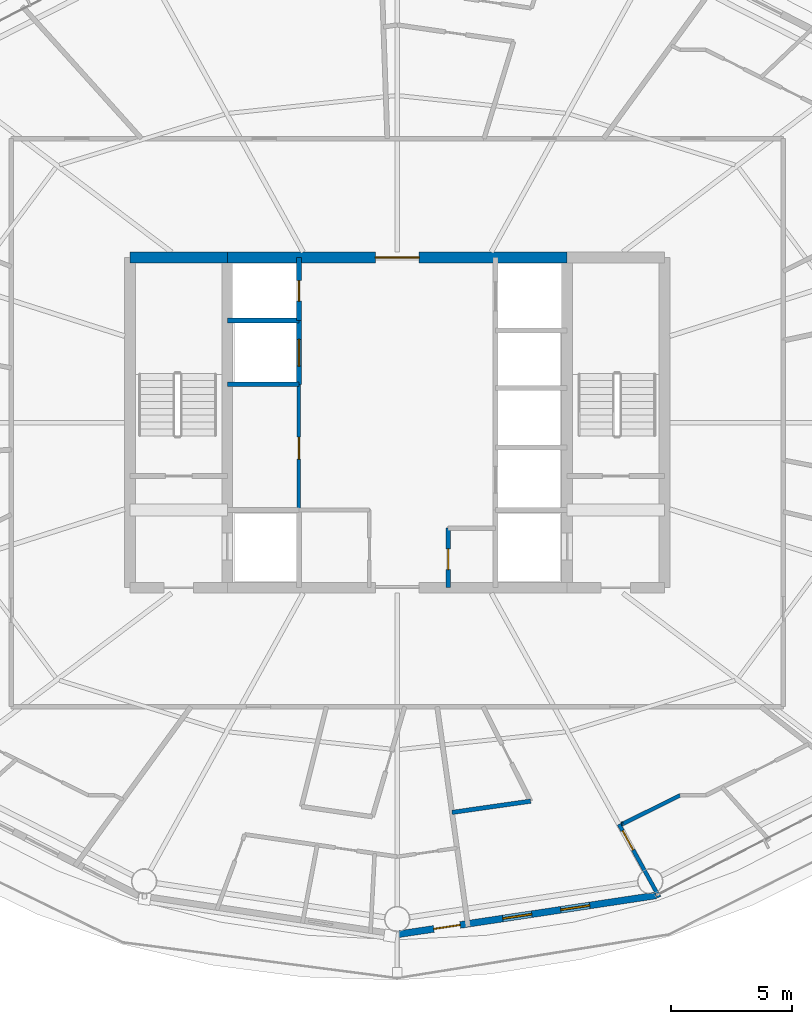
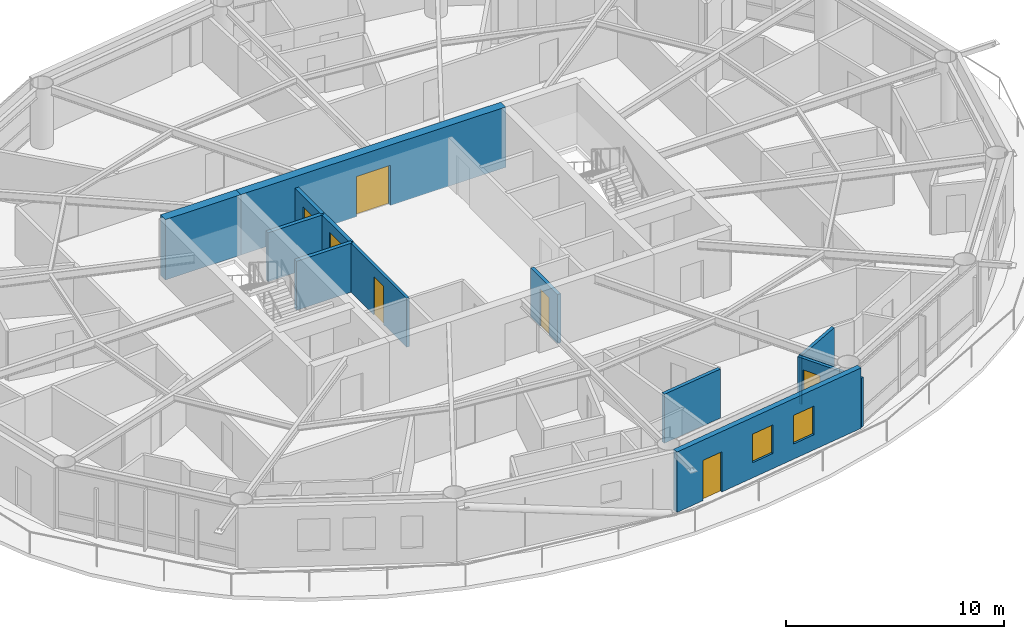
# One storey, part 21 of 29: 13 walls, 7 doors, 2 windows, 9 openings.
"""IFC4 building model written with IfcOpenShell, lengths in metres."""

from ifc_helpers import new_model, si_unit, direction, frame, frame_2d, origin, place, context, subcontext, project, spatial, rectangle, extrude, material, layer, layer_set, type_object, element, fill, save


model = new_model("IFC4")

# Units and contexts
model_context = context("Model", 3, precision=1e-05, world=origin(), true_north=direction((0.0, 1.0)))
body_context = subcontext(model_context, "Body", "Model", "MODEL_VIEW")
ifc_project = project(units=[si_unit("LENGTHUNIT", "METRE"), si_unit("AREAUNIT", "SQUARE_METRE"), si_unit("VOLUMEUNIT", "CUBIC_METRE"), si_unit("PLANEANGLEUNIT", "RADIAN"), si_unit("MASSUNIT", "GRAM", prefix="KILO")], contexts=[model_context])

# Site, building, storey
site_placement = place(None, origin())
site = spatial("IfcSite", under=ifc_project, at=site_placement, CompositionType="ELEMENT")
building_placement = place(site_placement, origin())
building = spatial("IfcBuilding", under=site, at=building_placement, Name="Sarneth Arch Tower", CompositionType="ELEMENT")
storey_placement = place(building_placement, frame((0.0, 0.0, 165.0)))
storey = spatial("IfcBuildingStorey", under=building, at=storey_placement, Name="L41", CompositionType="ELEMENT", Elevation=165.0)

# Wall
ifc_material_1 = material(Name="Concrete C50/60", Category="concrete")
ifc_layer_1 = layer(ifc_material_1, 0.449951171875)
ifc_layer_set_1 = layer_set([ifc_layer_1], Name="Concrete C50/60")
wall_type_1 = type_object("IfcWallType", Name="WALL-CORE-450", PredefinedType="SHEAR", material=ifc_layer_set_1)
wall_1_placement = place(storey_placement, frame((37.0, 48.800048828125, 0.0), z_axis=(0.0, 0.0, 1.0), x_axis=(1.0, 0.0, 0.0)))
element("IfcWall", 1, at=wall_1_placement, inside=storey, type_object=wall_type_1, Name="L41 Core shear wall N-W", PredefinedType="SHEAR", context=body_context, shape_type="SweptSolid", body=[
    extrude(rectangle(XDim=4.0, YDim=0.449951171875, at=frame_2d((2.0, 0.0))), origin(), (0.0, 0.0, 1.0), 3.3798828125),
])

# Wall, opening, door
wall_2_placement = place(storey_placement, frame((41.0, 48.800048828125, 0.0), z_axis=(0.0, 0.0, 1.0), x_axis=(1.0, 0.0, 0.0)))
wall_2 = element("IfcWall", 2, at=wall_2_placement, inside=storey, type_object=wall_type_1, Name="L41 Core shear wall N-M", PredefinedType="SHEAR", context=body_context, shape_type="SweptSolid", body=[
    extrude(rectangle(XDim=14.0, YDim=0.449951171875, at=frame_2d((7.0, 0.0))), origin(), (0.0, 0.0, 1.0), 3.3798828125),
])
opening_1_placement = place(wall_2_placement, frame((6.10009765625, 0.0, 0.0)))
opening_1 = element("IfcOpeningElement", 3, at=opening_1_placement, cuts=wall_2, Name="Opening FD-01", PredefinedType="OPENING", context=body_context, shape_type="SweptSolid", body=[
    extrude(rectangle(XDim=1.800048828125, YDim=2.25, at=frame_2d((0.89990234375, 1.125))), frame((0.0, 0.23486328125, 0.0), z_axis=(0.0, -1.0, 0.0), x_axis=(1.0, 0.0, 0.0)), (0.0, 0.0, 1.0), 0.469970703125),
])
ifc_material_2 = material(Name="Galvanised Steel S275 fire door set", Category="steel")
door_type_1 = type_object("IfcDoorType", Name="DR-FD90-1800", OperationType="DOUBLE_DOOR_SINGLE_SWING", PredefinedType="DOOR", material=ifc_material_2)
door_1_placement = place(opening_1_placement, origin())
door_1 = element("IfcDoor", 4, at=door_1_placement, inside=storey, type_object=door_type_1, Name="L41 Central lift lobby north door", OperationType="DOUBLE_DOOR_SINGLE_SWING", OverallHeight=2.25, OverallWidth=1.800048828125, PredefinedType="DOOR", context=body_context, shape_type="SweptSolid", body=[
    extrude(rectangle(XDim=1.800048828125, YDim=2.25, at=frame_2d((0.89990234375, 1.125))), frame((0.0, 0.02490234375, 0.0), z_axis=(0.0, -1.0, 0.0), x_axis=(1.0, 0.0, 0.0)), (0.0, 0.0, 1.0), 0.050048828125),
])
fill(opening_1, door_1)

# Wall, openings, door, windows
ifc_material_3 = material(Name="Extruded terracotta rainscreen on Concrete C40/50 backing", Category="masonry")
ifc_layer_2 = layer(ifc_material_3, 0.280029296875)
ifc_layer_set_2 = layer_set([ifc_layer_2], Name="Extruded terracotta rainscreen on Concrete C40/50 backing")
wall_type_2 = type_object("IfcWallType", Name="WALL-EXT-TERRA-280", PredefinedType="SOLIDWALL", material=ifc_layer_set_2)
wall_3_placement = place(storey_placement, frame((48.0, 20.919921875, 0.0), z_axis=(0.0, 0.0, 1.0), x_axis=(0.988863993413, 0.148822049884, 0.0)))
wall_3 = element("IfcWall", 5, at=wall_3_placement, inside=storey, type_object=wall_type_2, Name="L41 Terracotta perimeter wall 13", PredefinedType="SOLIDWALL", context=body_context, shape_type="SweptSolid", body=[
    extrude(rectangle(XDim=10.782958984375, YDim=0.280029296875, at=frame_2d((5.3916015625, 0.0))), origin(), (0.0, 0.0, 1.0), 3.3798828125),
])
opening_2_placement = place(wall_3_placement, frame((1.523681640625, 0.0, 0.0)))
opening_2 = element("IfcOpeningElement", 6, at=opening_2_placement, cuts=wall_3, Name="Opening BD-3", PredefinedType="OPENING", context=body_context, shape_type="SweptSolid", body=[
    extrude(rectangle(XDim=1.10009765625, YDim=2.25, at=frame_2d((0.550048828125, 1.125))), frame((0.0, 0.14990234375, 0.0), z_axis=(0.0, -1.0, 0.0), x_axis=(1.0, 0.0, 0.0)), (0.0, 0.0, 1.0), 0.300048828125),
])
opening_3_placement = place(wall_3_placement, frame((4.39892578125, 0.0, 0.85009765625)))
opening_3 = element("IfcOpeningElement", 7, at=opening_3_placement, cuts=wall_3, Name="Opening W-10", PredefinedType="OPENING", context=body_context, shape_type="SweptSolid", body=[
    extrude(rectangle(XDim=1.199951171875, YDim=1.60009765625, at=frame_2d((0.60009765625, 0.800048828125))), frame((0.0, 0.14990234375, 0.0), z_axis=(0.0, -1.0, 0.0), x_axis=(1.0, 0.0, 0.0)), (0.0, 0.0, 1.0), 0.300048828125),
])
opening_4_placement = place(wall_3_placement, frame((6.81494140625, 0.0, 0.85009765625)))
opening_4 = element("IfcOpeningElement", 8, at=opening_4_placement, cuts=wall_3, Name="Opening W-10", PredefinedType="OPENING", context=body_context, shape_type="SweptSolid", body=[
    extrude(rectangle(XDim=1.199951171875, YDim=1.60009765625, at=frame_2d((0.60009765625, 0.800048828125))), frame((0.0, 0.14990234375, 0.0), z_axis=(0.0, -1.0, 0.0), x_axis=(1.0, 0.0, 0.0)), (0.0, 0.0, 1.0), 0.300048828125),
])
ifc_material_4 = material(Name="Thermally broken Aluminium 6063-T6 and laminated safety glass", Category="aluminium")
door_type_2 = type_object("IfcDoorType", Name="DR-BALC-GLZ-1100", OperationType="SINGLE_SWING_LEFT", PredefinedType="DOOR", material=ifc_material_4)
door_2_placement = place(opening_2_placement, origin())
door_2 = element("IfcDoor", 9, at=door_2_placement, inside=storey, type_object=door_type_2, Name="L41 Balcony glazed door 13", OperationType="SINGLE_SWING_LEFT", OverallHeight=2.25, OverallWidth=1.10009765625, PredefinedType="DOOR", context=body_context, shape_type="SweptSolid", body=[
    extrude(rectangle(XDim=1.10009765625, YDim=2.25, at=frame_2d((0.550048828125, 1.125))), frame((0.0, 0.02490234375, 0.0), z_axis=(0.0, -1.0, 0.0), x_axis=(1.0, 0.0, 0.0)), (0.0, 0.0, 1.0), 0.050048828125),
])
fill(opening_2, door_2)
ifc_material_5 = material(Name="Thermally broken Aluminium 6063-T6 and low-e laminated IGU", Category="aluminium")
window_type = type_object("IfcWindowType", Name="WIN-TWR-1200x1600", PartitioningType="SINGLE_PANEL", PredefinedType="WINDOW", material=ifc_material_5)
window_1_placement = place(opening_3_placement, origin())
window_1 = element("IfcWindow", 10, at=window_1_placement, inside=storey, type_object=window_type, Name="L41 Exterior window 13A", OverallHeight=1.60009765625, OverallWidth=1.199951171875, PartitioningType="SINGLE_PANEL", PredefinedType="WINDOW", context=body_context, shape_type="SweptSolid", body=[
    extrude(rectangle(XDim=1.199951171875, YDim=1.60009765625, at=frame_2d((0.60009765625, 0.800048828125))), frame((0.0, 0.030029296875, 0.0), z_axis=(0.0, -1.0, 0.0), x_axis=(1.0, 0.0, 0.0)), (0.0, 0.0, 1.0), 0.06005859375),
])
fill(opening_3, window_1)
window_2_placement = place(opening_4_placement, origin())
window_2 = element("IfcWindow", 11, at=window_2_placement, inside=storey, type_object=window_type, Name="L41 Exterior window 13B", OverallHeight=1.60009765625, OverallWidth=1.199951171875, PartitioningType="SINGLE_PANEL", PredefinedType="WINDOW", context=body_context, shape_type="SweptSolid", body=[
    extrude(rectangle(XDim=1.199951171875, YDim=1.60009765625, at=frame_2d((0.60009765625, 0.800048828125))), frame((0.0, 0.030029296875, 0.0), z_axis=(0.0, -1.0, 0.0), x_axis=(1.0, 0.0, 0.0)), (0.0, 0.0, 1.0), 0.06005859375),
])
fill(opening_4, window_2)

# Wall, opening, door
ifc_material_6 = material(Name="Acoustic gypsum stud partition", Category="gypsum")
ifc_layer_3 = layer(ifc_material_6, 0.14990234375)
ifc_layer_set_3 = layer_set([ifc_layer_3], Name="Acoustic gypsum stud partition")
wall_type_3 = type_object("IfcWallType", Name="WALL-PART-150", PredefinedType="PARTITIONING", material=ifc_layer_set_3)
wall_4_placement = place(storey_placement, frame((43.949951171875, 38.39990234375, 0.0), z_axis=(0.0, 0.0, 1.0), x_axis=(0.0, 1.0, 0.0)))
wall_4 = element("IfcWall", 12, at=wall_4_placement, inside=storey, type_object=wall_type_3, Name="L41 Interior partition W-L41-RECPL-E", PredefinedType="PARTITIONING", context=body_context, shape_type="SweptSolid", body=[
    extrude(rectangle(XDim=5.18017578125, YDim=0.14990234375, at=frame_2d((2.590087890625, 0.0))), origin(), (0.0, 0.0, 1.0), 2.739990234375),
])
opening_5_placement = place(wall_4_placement, frame((2.10009765625, 0.0, 0.0)))
opening_5 = element("IfcOpeningElement", 13, at=opening_5_placement, cuts=wall_4, Name="Opening FD-10", PredefinedType="OPENING", context=body_context, shape_type="SweptSolid", body=[
    extrude(rectangle(XDim=0.89990234375, YDim=2.14990234375, at=frame_2d((0.449951171875, 1.074951171875))), frame((0.0, 0.0849609375, 0.0), z_axis=(0.0, -1.0, 0.0), x_axis=(1.0, 0.0, 0.0)), (0.0, 0.0, 1.0), 0.169921875),
])
ifc_material_7 = material(Name="Galvanised Steel S275 riser/service fire door", Category="steel")
door_type_3 = type_object("IfcDoorType", Name="DR-FD60-900", OperationType="SINGLE_SWING_LEFT", PredefinedType="DOOR", material=ifc_material_7)
door_3_placement = place(opening_5_placement, origin())
door_3 = element("IfcDoor", 14, at=door_3_placement, inside=storey, type_object=door_type_3, Name="L41 Interior door DR-L41-RECPL1", OperationType="SINGLE_SWING_LEFT", OverallHeight=2.14990234375, OverallWidth=0.89990234375, PredefinedType="DOOR", context=body_context, shape_type="SweptSolid", body=[
    extrude(rectangle(XDim=0.89990234375, YDim=2.14990234375, at=frame_2d((0.449951171875, 1.074951171875))), frame((0.0, 0.02490234375, 0.0), z_axis=(0.0, -1.0, 0.0), x_axis=(1.0, 0.0, 0.0)), (0.0, 0.0, 1.0), 0.050048828125),
])
fill(opening_5, door_3)

ifc_material_8 = material(Name="Kitchen wet service chase wall", Category="gypsum")
ifc_layer_4 = layer(ifc_material_8, 0.159912109375)
ifc_layer_set_4 = layer_set([ifc_layer_4], Name="Kitchen wet service chase wall")
wall_type_4 = type_object("IfcWallType", Name="WALL-PLUMB-160", PredefinedType="PLUMBINGWALL", material=ifc_layer_set_4)
wall_5_placement = place(storey_placement, frame((57.135498046875, 25.456298828125, 0.0), z_axis=(0.0, 0.0, 1.0), x_axis=(0.483427589536, -0.875384353113, 0.0)))
wall_5 = element("IfcWall", 15, at=wall_5_placement, inside=storey, type_object=wall_type_4, Name="L41 Interior partition W-L41-TP-102", PredefinedType="PLUMBINGWALL", context=body_context, shape_type="SweptSolid", body=[
    extrude(rectangle(XDim=3.427001953125, YDim=0.159912109375, at=frame_2d((1.71337890625, 0.0))), origin(), (0.0, 0.0, 1.0), 2.739990234375),
])
opening_6_placement = place(wall_5_placement, frame((0.303466796875, 0.0, 0.0)))
opening_6 = element("IfcOpeningElement", 16, at=opening_6_placement, cuts=wall_5, Name="Opening ID-01", PredefinedType="OPENING", context=body_context, shape_type="SweptSolid", body=[
    extrude(rectangle(XDim=0.89990234375, YDim=2.10009765625, at=frame_2d((0.449951171875, 1.050048828125))), frame((0.0, 0.08984375, 0.0), z_axis=(0.0, -1.0, 0.0), x_axis=(1.0, 0.0, 0.0)), (0.0, 0.0, 1.0), 0.179931640625),
])
ifc_material_9 = material(Name="Engineered hardwood flush door", Category="wood")
door_type_4 = type_object("IfcDoorType", Name="DR-INT-900", OperationType="SINGLE_SWING_LEFT", PredefinedType="DOOR", material=ifc_material_9)
door_4_placement = place(opening_6_placement, origin())
door_4 = element("IfcDoor", 17, at=door_4_placement, inside=storey, type_object=door_type_4, Name="L41 Interior door DR-L41-U7-KIT", OperationType="SINGLE_SWING_RIGHT", OverallHeight=2.10009765625, OverallWidth=0.89990234375, PredefinedType="DOOR", context=body_context, shape_type="SweptSolid", body=[
    extrude(rectangle(XDim=0.89990234375, YDim=2.10009765625, at=frame_2d((0.449951171875, 1.050048828125))), frame((0.0, 0.02490234375, 0.0), z_axis=(0.0, -1.0, 0.0), x_axis=(1.0, 0.0, 0.0)), (0.0, 0.0, 1.0), 0.050048828125),
])
fill(opening_6, door_4)

# Walls
wall_6_placement = place(storey_placement, frame((59.651123046875, 26.64990234375, 0.0), z_axis=(0.0, 0.0, 1.0), x_axis=(-0.895041110332, -0.445983644112, 0.0)))
element("IfcWall", 18, at=wall_6_placement, inside=storey, type_object=wall_type_4, Name="L41 Interior partition W-L41-TP-100", PredefinedType="PLUMBINGWALL", context=body_context, shape_type="SweptSolid", body=[
    extrude(rectangle(XDim=2.62109375, YDim=0.159912109375, at=frame_2d((1.310546875, 0.0))), origin(), (0.0, 0.0, 1.0), 2.739990234375),
])
wall_7_placement = place(storey_placement, frame((57.293212890625, 25.479248046875, 0.0), z_axis=(0.0, 0.0, 1.0), x_axis=(-0.989532981063, -0.144306893072, 0.0)))
element("IfcWall", 19, at=wall_7_placement, inside=storey, type_object=wall_type_4, Name="L41 Interior partition W-L41-TP-101", PredefinedType="PLUMBINGWALL", context=body_context, shape_type="SweptSolid", body=[
    extrude(rectangle(XDim=0.059326171875, YDim=0.159912109375, at=frame_2d((0.02978515625, 0.0))), origin(), (0.0, 0.0, 1.0), 2.739990234375),
])

# Wall, opening, door
ifc_material_10 = material(Name="Moisture-resistant plumbing chase wall", Category="gypsum")
ifc_layer_5 = layer(ifc_material_10, 0.179931640625)
ifc_layer_set_5 = layer_set([ifc_layer_5], Name="Moisture-resistant plumbing chase wall")
wall_type_5 = type_object("IfcWallType", Name="WALL-PLUMB-180", PredefinedType="PLUMBINGWALL", material=ifc_layer_set_5)
wall_8_placement = place(storey_placement, frame((50.10009765625, 35.199951171875, 0.0), z_axis=(0.0, 0.0, 1.0), x_axis=(0.0, 1.0, 0.0)))
wall_8 = element("IfcWall", 20, at=wall_8_placement, inside=storey, type_object=wall_type_5, Name="L41 Interior partition W-L41-AWC-W", PredefinedType="PLUMBINGWALL", context=body_context, shape_type="SweptSolid", body=[
    extrude(rectangle(XDim=2.449951171875, YDim=0.179931640625, at=frame_2d((1.22509765625, 0.0))), origin(), (0.0, 0.0, 1.0), 2.739990234375),
])
opening_7_placement = place(wall_8_placement, frame((0.75, 0.0, 0.0)))
opening_7 = element("IfcOpeningElement", 21, at=opening_7_placement, cuts=wall_8, Name="Opening ID-02", PredefinedType="OPENING", context=body_context, shape_type="SweptSolid", body=[
    extrude(rectangle(XDim=0.85009765625, YDim=2.10009765625, at=frame_2d((0.425048828125, 1.050048828125))), frame((0.0, 0.099853515625, 0.0), z_axis=(0.0, -1.0, 0.0), x_axis=(1.0, 0.0, 0.0)), (0.0, 0.0, 1.0), 0.199951171875),
])
ifc_material_11 = material(Name="Moisture-resistant bathroom timber door", Category="wood")
door_type_5 = type_object("IfcDoorType", Name="DR-INT-850", OperationType="SINGLE_SWING_RIGHT", PredefinedType="DOOR", material=ifc_material_11)
door_5_placement = place(opening_7_placement, origin())
door_5 = element("IfcDoor", 22, at=door_5_placement, inside=storey, type_object=door_type_5, Name="L41 Interior door DR-L41-AWC", OperationType="SINGLE_SWING_RIGHT", OverallHeight=2.10009765625, OverallWidth=0.85009765625, PredefinedType="DOOR", context=body_context, shape_type="SweptSolid", body=[
    extrude(rectangle(XDim=0.85009765625, YDim=2.10009765625, at=frame_2d((0.425048828125, 1.050048828125))), frame((0.0, 0.02490234375, 0.0), z_axis=(0.0, -1.0, 0.0), x_axis=(1.0, 0.0, 0.0)), (0.0, 0.0, 1.0), 0.050048828125),
])
fill(opening_7, door_5)

# Walls
wall_9_placement = place(storey_placement, frame((50.256591796875, 25.9443359375, 0.0), z_axis=(0.0, 0.0, 1.0), x_axis=(0.989826700743, 0.142278257286, 0.0)))
element("IfcWall", 23, at=wall_9_placement, inside=storey, type_object=wall_type_5, Name="L41 Interior partition W-L41-TP-103", PredefinedType="PLUMBINGWALL", context=body_context, shape_type="SweptSolid", body=[
    extrude(rectangle(XDim=3.2705078125, YDim=0.179931640625, at=frame_2d((1.63525390625, 0.0))), origin(), (0.0, 0.0, 1.0), 2.739990234375),
])
ifc_material_12 = material(Name="Aerated concrete blockwork C25/30", Category="masonry")
ifc_layer_6 = layer(ifc_material_12, 0.199951171875)
ifc_layer_set_6 = layer_set([ifc_layer_6], Name="Aerated concrete blockwork C25/30")
wall_type_6 = type_object("IfcWallType", Name="WALL-SHAFT-200", PredefinedType="SOLIDWALL", material=ifc_layer_set_6)
wall_10_placement = place(storey_placement, frame((41.0, 46.199951171875, 0.0), z_axis=(0.0, 0.0, 1.0), x_axis=(1.0, 0.0, 0.0)))
element("IfcWall", 24, at=wall_10_placement, inside=storey, type_object=wall_type_6, Name="L41 Interior partition W-L41-RISER-S", PredefinedType="SOLIDWALL", context=body_context, shape_type="SweptSolid", body=[
    extrude(rectangle(XDim=2.949951171875, YDim=0.199951171875, at=frame_2d((1.47509765625, 0.0))), origin(), (0.0, 0.0, 1.0), 2.739990234375),
])

# Wall, opening, door
wall_11_placement = place(storey_placement, frame((43.949951171875, 46.199951171875, 0.0), z_axis=(0.0, 0.0, 1.0), x_axis=(0.0, 1.0, 0.0)))
wall_11 = element("IfcWall", 25, at=wall_11_placement, inside=storey, type_object=wall_type_6, Name="L41 Interior partition W-L41-RISER-E", PredefinedType="SOLIDWALL", context=body_context, shape_type="SweptSolid", body=[
    extrude(rectangle(XDim=2.60009765625, YDim=0.199951171875, at=frame_2d((1.300048828125, 0.0))), origin(), (0.0, 0.0, 1.0), 2.739990234375),
])
opening_8_placement = place(wall_11_placement, frame((0.800048828125, 0.0, 0.0)))
opening_8 = element("IfcOpeningElement", 26, at=opening_8_placement, cuts=wall_11, Name="Opening FD-11", PredefinedType="OPENING", context=body_context, shape_type="SweptSolid", body=[
    extrude(rectangle(XDim=0.85009765625, YDim=2.14990234375, at=frame_2d((0.425048828125, 1.074951171875))), frame((0.0, 0.10986328125, 0.0), z_axis=(0.0, -1.0, 0.0), x_axis=(1.0, 0.0, 0.0)), (0.0, 0.0, 1.0), 0.219970703125),
])
ifc_material_13 = material(Name="Galvanised Steel S275 closet fire door", Category="steel")
door_type_6 = type_object("IfcDoorType", Name="DR-FD60-850", OperationType="SINGLE_SWING_LEFT", PredefinedType="DOOR", material=ifc_material_13)
door_6_placement = place(opening_8_placement, origin())
door_6 = element("IfcDoor", 27, at=door_6_placement, inside=storey, type_object=door_type_6, Name="L41 Lift landing door DR-L41-RISER", OperationType="SINGLE_SWING_LEFT", OverallHeight=2.14990234375, OverallWidth=0.85009765625, PredefinedType="DOOR", context=body_context, shape_type="SweptSolid", body=[
    extrude(rectangle(XDim=0.85009765625, YDim=2.14990234375, at=frame_2d((0.425048828125, 1.074951171875))), frame((0.0, 0.02490234375, 0.0), z_axis=(0.0, -1.0, 0.0), x_axis=(1.0, 0.0, 0.0)), (0.0, 0.0, 1.0), 0.050048828125),
])
fill(opening_8, door_6)

# Wall
wall_12_placement = place(storey_placement, frame((41.0, 43.580078125, 0.0), z_axis=(0.0, 0.0, 1.0), x_axis=(1.0, 0.0, 0.0)))
element("IfcWall", 28, at=wall_12_placement, inside=storey, type_object=wall_type_6, Name="L41 Interior partition W-L41-PM1-S", PredefinedType="SOLIDWALL", context=body_context, shape_type="SweptSolid", body=[
    extrude(rectangle(XDim=2.949951171875, YDim=0.199951171875, at=frame_2d((1.47509765625, 0.0))), origin(), (0.0, 0.0, 1.0), 2.739990234375),
])

# Wall, opening, door
wall_13_placement = place(storey_placement, frame((43.949951171875, 43.580078125, 0.0), z_axis=(0.0, 0.0, 1.0), x_axis=(0.0, 1.0, 0.0)))
wall_13 = element("IfcWall", 29, at=wall_13_placement, inside=storey, type_object=wall_type_6, Name="L41 Interior partition W-L41-PM1-FRONT", PredefinedType="SOLIDWALL", context=body_context, shape_type="SweptSolid", body=[
    extrude(rectangle(XDim=2.619873046875, YDim=0.199951171875, at=frame_2d((1.31005859375, 0.0))), origin(), (0.0, 0.0, 1.0), 2.739990234375),
])
opening_9_placement = place(wall_13_placement, frame((0.75, 0.0, 0.0)))
opening_9 = element("IfcOpeningElement", 30, at=opening_9_placement, cuts=wall_13, Name="Opening LD-1", PredefinedType="OPENING", context=body_context, shape_type="SweptSolid", body=[
    extrude(rectangle(XDim=1.10009765625, YDim=2.199951171875, at=frame_2d((0.550048828125, 1.10009765625))), frame((0.0, 0.10986328125, 0.0), z_axis=(0.0, -1.0, 0.0), x_axis=(1.0, 0.0, 0.0)), (0.0, 0.0, 1.0), 0.219970703125),
])
ifc_material_14 = material(Name="Brushed Stainless Steel 304 lift landing door", Category="steel")
door_type_7 = type_object("IfcDoorType", Name="DR-LIFT-SLIDE-1100", OperationType="SLIDING_TO_LEFT", PredefinedType="DOOR", material=ifc_material_14)
door_7_placement = place(opening_9_placement, origin())
door_7 = element("IfcDoor", 31, at=door_7_placement, inside=storey, type_object=door_type_7, Name="L41 Lift landing door DR-L41-LD-PM1", OperationType="SLIDING_TO_LEFT", OverallHeight=2.199951171875, OverallWidth=1.10009765625, PredefinedType="DOOR", context=body_context, shape_type="SweptSolid", body=[
    extrude(rectangle(XDim=1.10009765625, YDim=2.199951171875, at=frame_2d((0.550048828125, 1.10009765625))), frame((0.0, 0.02490234375, 0.0), z_axis=(0.0, -1.0, 0.0), x_axis=(1.0, 0.0, 0.0)), (0.0, 0.0, 1.0), 0.050048828125),
])
fill(opening_9, door_7)

save(model, "model.ifc")
